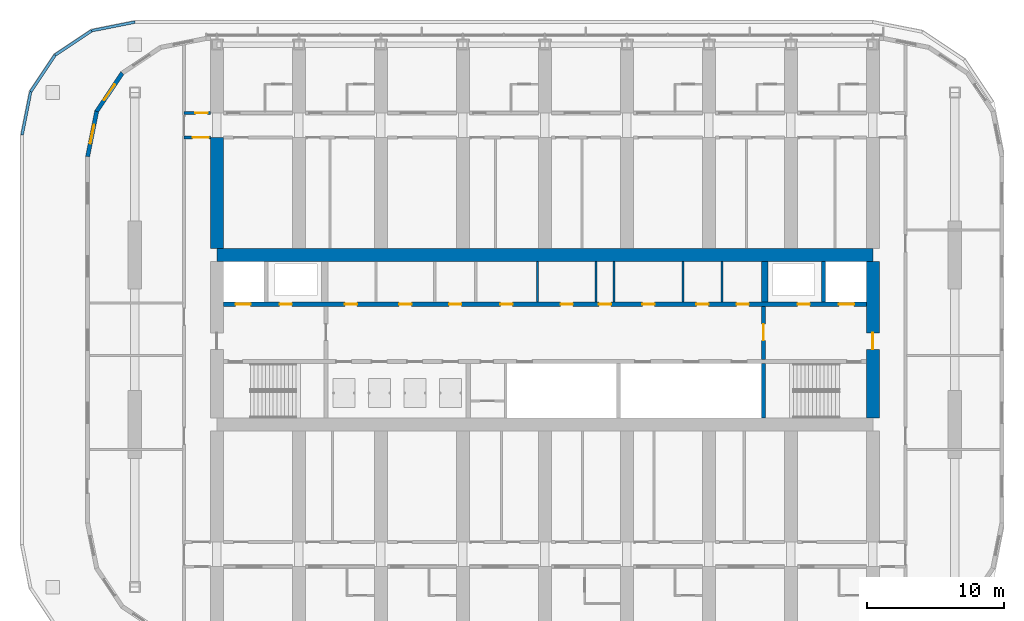
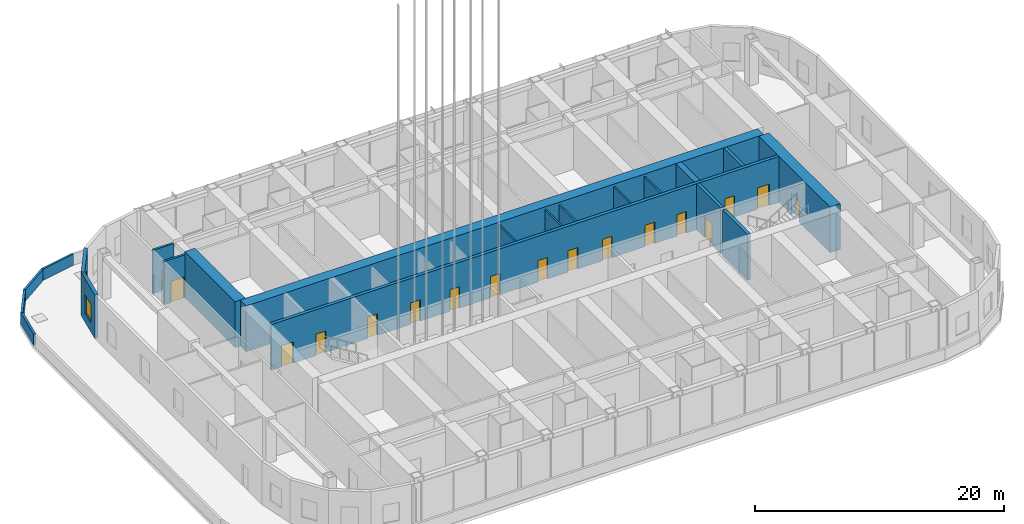
# One storey, part 14 of 32: 21 walls, 17 doors, 2 windows, 19 openings.
"""IFC4 building model written with IfcOpenShell, lengths in metres."""

from ifc_helpers import new_model, si_unit, direction, frame, frame_2d, origin, place, context, subcontext, project, spatial, polyline, rectangle, outline, extrude, material, layer, layer_set, type_object, element, fill, save


model = new_model("IFC4")

# Units and contexts
model_context = context("Model", 3, precision=1e-05, world=origin(), true_north=direction((0.0, 1.0)))
body_context = subcontext(model_context, "Body", "Model", "MODEL_VIEW")
ifc_project = project(units=[si_unit("LENGTHUNIT", "METRE"), si_unit("AREAUNIT", "SQUARE_METRE"), si_unit("VOLUMEUNIT", "CUBIC_METRE"), si_unit("PLANEANGLEUNIT", "RADIAN"), si_unit("MASSUNIT", "GRAM", prefix="KILO")], contexts=[model_context])

# Site, building, storey
site_placement = place(None, origin())
site = spatial("IfcSite", under=ifc_project, at=site_placement, CompositionType="ELEMENT")
building_placement = place(site_placement, origin())
building = spatial("IfcBuilding", under=site, at=building_placement, Name="Orbita Commons", CompositionType="ELEMENT")
storey_placement = place(building_placement, frame((0.0, 0.0, 140.35009765625)))
storey = spatial("IfcBuildingStorey", under=building, at=storey_placement, Name="L34", CompositionType="ELEMENT", Elevation=140.35009765625)

# Wall, openings, doors
ifc_material_1 = material(Name="Concrete C50/60", Category="concrete")
ifc_layer_1 = layer(ifc_material_1, 0.300048828125)
ifc_layer_set_1 = layer_set([ifc_layer_1], Name="Concrete C50/60")
wall_type_1 = type_object("IfcWallType", Name="Core inner wall 300 C50/60", PredefinedType="SHEAR", material=ifc_layer_set_1)
wall_1_placement = place(storey_placement, frame((18.47509765625, 34.60009765625, 0.0), z_axis=(0.0, 0.0, 1.0), x_axis=(1.0, 0.0, 0.0)))
wall_1 = element("IfcWall", 1, at=wall_1_placement, inside=storey, type_object=wall_type_1, Name="Lobby wall north L34", PredefinedType="SHEAR", context=body_context, shape_type="SweptSolid", body=[
    extrude(rectangle(XDim=47.0498046875, YDim=0.300048828125, at=frame_2d((23.52490234375, 0.0))), origin(), (0.0, 0.0, 1.0), 4.5),
])
opening_1_placement = place(wall_1_placement, frame((0.89990234375, 0.0, 0.0)))
opening_1 = element("IfcOpeningElement", 2, at=opening_1_placement, cuts=wall_1, Name="Opening LD01", PredefinedType="OPENING", context=body_context, shape_type="SweptSolid", body=[
    extrude(rectangle(XDim=1.10009765625, YDim=2.10009765625, at=frame_2d((0.550048828125, 1.050048828125))), frame((0.0, 0.159912109375, 0.0), z_axis=(0.0, -1.0, 0.0), x_axis=(1.0, 0.0, 0.0)), (0.0, 0.0, 1.0), 0.320068359375),
])
opening_2_placement = place(wall_1_placement, frame((45.050048828125, 0.0, 0.0)))
opening_2 = element("IfcOpeningElement", 3, at=opening_2_placement, cuts=wall_1, Name="Opening LD01", PredefinedType="OPENING", context=body_context, shape_type="SweptSolid", body=[
    extrude(rectangle(XDim=1.10009765625, YDim=2.10009765625, at=frame_2d((0.550048828125, 1.050048828125))), frame((0.0, 0.159912109375, 0.0), z_axis=(0.0, -1.0, 0.0), x_axis=(1.0, 0.0, 0.0)), (0.0, 0.0, 1.0), 0.320068359375),
])
opening_3_placement = place(wall_1_placement, frame((4.125, 0.0, 0.0)))
opening_3 = element("IfcOpeningElement", 4, at=opening_3_placement, cuts=wall_1, Name="Opening D03", PredefinedType="OPENING", context=body_context, shape_type="SweptSolid", body=[
    extrude(rectangle(XDim=0.89990234375, YDim=2.10009765625, at=frame_2d((0.449951171875, 1.050048828125))), frame((0.0, 0.159912109375, 0.0), z_axis=(0.0, -1.0, 0.0), x_axis=(1.0, 0.0, 0.0)), (0.0, 0.0, 1.0), 0.320068359375),
])
opening_4_placement = place(wall_1_placement, frame((42.02490234375, 0.0, 0.0)))
opening_4 = element("IfcOpeningElement", 5, at=opening_4_placement, cuts=wall_1, Name="Opening D03", PredefinedType="OPENING", context=body_context, shape_type="SweptSolid", body=[
    extrude(rectangle(XDim=0.89990234375, YDim=2.10009765625, at=frame_2d((0.449951171875, 1.050048828125))), frame((0.0, 0.159912109375, 0.0), z_axis=(0.0, -1.0, 0.0), x_axis=(1.0, 0.0, 0.0)), (0.0, 0.0, 1.0), 0.320068359375),
])
opening_5_placement = place(wall_1_placement, frame((8.900390625, 0.0, 0.0)))
opening_5 = element("IfcOpeningElement", 6, at=opening_5_placement, cuts=wall_1, Name="Opening D05", PredefinedType="OPENING", context=body_context, shape_type="SweptSolid", body=[
    extrude(rectangle(XDim=0.89990234375, YDim=2.10009765625, at=frame_2d((0.449951171875, 1.050048828125))), frame((0.0, 0.159912109375, 0.0), z_axis=(0.0, -1.0, 0.0), x_axis=(1.0, 0.0, 0.0)), (0.0, 0.0, 1.0), 0.320068359375),
])
opening_6_placement = place(wall_1_placement, frame((12.873779296875, 0.0, 0.0)))
opening_6 = element("IfcOpeningElement", 7, at=opening_6_placement, cuts=wall_1, Name="Opening D03", PredefinedType="OPENING", context=body_context, shape_type="SweptSolid", body=[
    extrude(rectangle(XDim=0.89990234375, YDim=2.10009765625, at=frame_2d((0.449951171875, 1.050048828125))), frame((0.0, 0.159912109375, 0.0), z_axis=(0.0, -1.0, 0.0), x_axis=(1.0, 0.0, 0.0)), (0.0, 0.0, 1.0), 0.320068359375),
])
opening_7_placement = place(wall_1_placement, frame((16.521240234375, 0.0, 0.0)))
opening_7 = element("IfcOpeningElement", 8, at=opening_7_placement, cuts=wall_1, Name="Opening D03", PredefinedType="OPENING", context=body_context, shape_type="SweptSolid", body=[
    extrude(rectangle(XDim=0.89990234375, YDim=2.10009765625, at=frame_2d((0.449951171875, 1.050048828125))), frame((0.0, 0.159912109375, 0.0), z_axis=(0.0, -1.0, 0.0), x_axis=(1.0, 0.0, 0.0)), (0.0, 0.0, 1.0), 0.320068359375),
])
opening_8_placement = place(wall_1_placement, frame((20.27978515625, 0.0, 0.0)))
opening_8 = element("IfcOpeningElement", 9, at=opening_8_placement, cuts=wall_1, Name="Opening D03", PredefinedType="OPENING", context=body_context, shape_type="SweptSolid", body=[
    extrude(rectangle(XDim=0.89990234375, YDim=2.10009765625, at=frame_2d((0.449951171875, 1.050048828125))), frame((0.0, 0.159912109375, 0.0), z_axis=(0.0, -1.0, 0.0), x_axis=(1.0, 0.0, 0.0)), (0.0, 0.0, 1.0), 0.320068359375),
])
opening_9_placement = place(wall_1_placement, frame((24.685791015625, 0.0, 0.0)))
opening_9 = element("IfcOpeningElement", 10, at=opening_9_placement, cuts=wall_1, Name="Opening D03", PredefinedType="OPENING", context=body_context, shape_type="SweptSolid", body=[
    extrude(rectangle(XDim=0.89990234375, YDim=2.10009765625, at=frame_2d((0.449951171875, 1.050048828125))), frame((0.0, 0.159912109375, 0.0), z_axis=(0.0, -1.0, 0.0), x_axis=(1.0, 0.0, 0.0)), (0.0, 0.0, 1.0), 0.320068359375),
])
opening_10_placement = place(wall_1_placement, frame((27.4833984375, 0.0, 0.0)))
opening_10 = element("IfcOpeningElement", 11, at=opening_10_placement, cuts=wall_1, Name="Opening D03", PredefinedType="OPENING", context=body_context, shape_type="SweptSolid", body=[
    extrude(rectangle(XDim=0.89990234375, YDim=2.10009765625, at=frame_2d((0.449951171875, 1.050048828125))), frame((0.0, 0.159912109375, 0.0), z_axis=(0.0, -1.0, 0.0), x_axis=(1.0, 0.0, 0.0)), (0.0, 0.0, 1.0), 0.320068359375),
])
opening_11_placement = place(wall_1_placement, frame((30.666259765625, 0.0, 0.0)))
opening_11 = element("IfcOpeningElement", 12, at=opening_11_placement, cuts=wall_1, Name="Opening D05", PredefinedType="OPENING", context=body_context, shape_type="SweptSolid", body=[
    extrude(rectangle(XDim=0.89990234375, YDim=2.10009765625, at=frame_2d((0.449951171875, 1.050048828125))), frame((0.0, 0.159912109375, 0.0), z_axis=(0.0, -1.0, 0.0), x_axis=(1.0, 0.0, 0.0)), (0.0, 0.0, 1.0), 0.320068359375),
])
opening_12_placement = place(wall_1_placement, frame((34.6171875, 0.0, 0.0)))
opening_12 = element("IfcOpeningElement", 13, at=opening_12_placement, cuts=wall_1, Name="Opening D03", PredefinedType="OPENING", context=body_context, shape_type="SweptSolid", body=[
    extrude(rectangle(XDim=0.89990234375, YDim=2.10009765625, at=frame_2d((0.449951171875, 1.050048828125))), frame((0.0, 0.159912109375, 0.0), z_axis=(0.0, -1.0, 0.0), x_axis=(1.0, 0.0, 0.0)), (0.0, 0.0, 1.0), 0.320068359375),
])
opening_13_placement = place(wall_1_placement, frame((37.555419921875, 0.0, 0.0)))
opening_13 = element("IfcOpeningElement", 14, at=opening_13_placement, cuts=wall_1, Name="Opening D03", PredefinedType="OPENING", context=body_context, shape_type="SweptSolid", body=[
    extrude(rectangle(XDim=0.89990234375, YDim=2.10009765625, at=frame_2d((0.449951171875, 1.050048828125))), frame((0.0, 0.159912109375, 0.0), z_axis=(0.0, -1.0, 0.0), x_axis=(1.0, 0.0, 0.0)), (0.0, 0.0, 1.0), 0.320068359375),
])
ifc_material_2 = material(Name="Steel-faced fire door leaf", Category="steel")
door_type_1 = type_object("IfcDoorType", Name="Firefighting lift landing door 1100x2100", OperationType="DOUBLE_DOOR_SLIDING", PredefinedType="DOOR", material=ifc_material_2)
door_1_placement = place(opening_1_placement, origin())
door_1 = element("IfcDoor", 15, at=door_1_placement, inside=storey, type_object=door_type_1, Name="Firefighting lift FL1 landing door", OperationType="DOUBLE_DOOR_SLIDING", OverallHeight=2.10009765625, OverallWidth=1.10009765625, PredefinedType="DOOR", context=body_context, shape_type="SweptSolid", body=[
    extrude(rectangle(XDim=1.10009765625, YDim=2.10009765625, at=frame_2d((0.550048828125, 1.050048828125))), frame((0.0, 0.02490234375, 0.0), z_axis=(0.0, -1.0, 0.0), x_axis=(1.0, 0.0, 0.0)), (0.0, 0.0, 1.0), 0.050048828125),
])
fill(opening_1, door_1)
door_2_placement = place(opening_2_placement, origin())
door_2 = element("IfcDoor", 16, at=door_2_placement, inside=storey, type_object=door_type_1, Name="Firefighting lift FL2 landing door", OperationType="DOUBLE_DOOR_SLIDING", OverallHeight=2.10009765625, OverallWidth=1.10009765625, PredefinedType="DOOR", context=body_context, shape_type="SweptSolid", body=[
    extrude(rectangle(XDim=1.10009765625, YDim=2.10009765625, at=frame_2d((0.550048828125, 1.050048828125))), frame((0.0, 0.02490234375, 0.0), z_axis=(0.0, -1.0, 0.0), x_axis=(1.0, 0.0, 0.0)), (0.0, 0.0, 1.0), 0.050048828125),
])
fill(opening_2, door_2)
ifc_material_3 = material(Name="Steel-faced fire door leaf", Category="steel")
door_type_2 = type_object("IfcDoorType", Name="Service door 20 min 900x2100", OperationType="SINGLE_SWING_LEFT", PredefinedType="DOOR", material=ifc_material_3)
door_3_placement = place(opening_5_placement, origin())
door_3 = element("IfcDoor", 17, at=door_3_placement, inside=storey, type_object=door_type_2, Name="Accessible WC door", OperationType="SINGLE_SWING_LEFT", OverallHeight=2.10009765625, OverallWidth=0.89990234375, PredefinedType="DOOR", context=body_context, shape_type="SweptSolid", body=[
    extrude(rectangle(XDim=0.89990234375, YDim=2.10009765625, at=frame_2d((0.449951171875, 1.050048828125))), frame((0.0, 0.02490234375, 0.0), z_axis=(0.0, -1.0, 0.0), x_axis=(1.0, 0.0, 0.0)), (0.0, 0.0, 1.0), 0.050048828125),
])
fill(opening_5, door_3)
door_4_placement = place(opening_11_placement, origin())
door_4 = element("IfcDoor", 18, at=door_4_placement, inside=storey, type_object=door_type_2, Name="Guest pantry door", OperationType="SINGLE_SWING_LEFT", OverallHeight=2.10009765625, OverallWidth=0.89990234375, PredefinedType="DOOR", context=body_context, shape_type="SweptSolid", body=[
    extrude(rectangle(XDim=0.89990234375, YDim=2.10009765625, at=frame_2d((0.449951171875, 1.050048828125))), frame((0.0, 0.02490234375, 0.0), z_axis=(0.0, -1.0, 0.0), x_axis=(1.0, 0.0, 0.0)), (0.0, 0.0, 1.0), 0.050048828125),
])
fill(opening_11, door_4)
ifc_material_4 = material(Name="Steel-faced fire door leaf", Category="steel")
door_type_3 = type_object("IfcDoorType", Name="Shaft access door 90 min 900x2100", OperationType="SINGLE_SWING_LEFT", PredefinedType="DOOR", material=ifc_material_4)
door_5_placement = place(opening_3_placement, origin())
door_5 = element("IfcDoor", 19, at=door_5_placement, inside=storey, type_object=door_type_3, Name="Riser door west", OperationType="SINGLE_SWING_LEFT", OverallHeight=2.10009765625, OverallWidth=0.89990234375, PredefinedType="DOOR", context=body_context, shape_type="SweptSolid", body=[
    extrude(rectangle(XDim=0.89990234375, YDim=2.10009765625, at=frame_2d((0.449951171875, 1.050048828125))), frame((0.0, 0.02490234375, 0.0), z_axis=(0.0, -1.0, 0.0), x_axis=(1.0, 0.0, 0.0)), (0.0, 0.0, 1.0), 0.050048828125),
])
fill(opening_3, door_5)
door_6_placement = place(opening_4_placement, origin())
door_6 = element("IfcDoor", 20, at=door_6_placement, inside=storey, type_object=door_type_3, Name="Riser door east", OperationType="SINGLE_SWING_LEFT", OverallHeight=2.10009765625, OverallWidth=0.89990234375, PredefinedType="DOOR", context=body_context, shape_type="SweptSolid", body=[
    extrude(rectangle(XDim=0.89990234375, YDim=2.10009765625, at=frame_2d((0.449951171875, 1.050048828125))), frame((0.0, 0.02490234375, 0.0), z_axis=(0.0, -1.0, 0.0), x_axis=(1.0, 0.0, 0.0)), (0.0, 0.0, 1.0), 0.050048828125),
])
fill(opening_4, door_6)
door_7_placement = place(opening_6_placement, origin())
door_7 = element("IfcDoor", 21, at=door_7_placement, inside=storey, type_object=door_type_3, Name="Refuse chute room door", OperationType="SINGLE_SWING_LEFT", OverallHeight=2.10009765625, OverallWidth=0.89990234375, PredefinedType="DOOR", context=body_context, shape_type="SweptSolid", body=[
    extrude(rectangle(XDim=0.89990234375, YDim=2.10009765625, at=frame_2d((0.449951171875, 1.050048828125))), frame((0.0, 0.02490234375, 0.0), z_axis=(0.0, -1.0, 0.0), x_axis=(1.0, 0.0, 0.0)), (0.0, 0.0, 1.0), 0.050048828125),
])
fill(opening_6, door_7)
door_8_placement = place(opening_7_placement, origin())
door_8 = element("IfcDoor", 22, at=door_8_placement, inside=storey, type_object=door_type_3, Name="Electrical riser room door", OperationType="SINGLE_SWING_LEFT", OverallHeight=2.10009765625, OverallWidth=0.89990234375, PredefinedType="DOOR", context=body_context, shape_type="SweptSolid", body=[
    extrude(rectangle(XDim=0.89990234375, YDim=2.10009765625, at=frame_2d((0.449951171875, 1.050048828125))), frame((0.0, 0.02490234375, 0.0), z_axis=(0.0, -1.0, 0.0), x_axis=(1.0, 0.0, 0.0)), (0.0, 0.0, 1.0), 0.050048828125),
])
fill(opening_7, door_8)
door_9_placement = place(opening_8_placement, origin())
door_9 = element("IfcDoor", 23, at=door_9_placement, inside=storey, type_object=door_type_3, Name="IT room door", OperationType="SINGLE_SWING_LEFT", OverallHeight=2.10009765625, OverallWidth=0.89990234375, PredefinedType="DOOR", context=body_context, shape_type="SweptSolid", body=[
    extrude(rectangle(XDim=0.89990234375, YDim=2.10009765625, at=frame_2d((0.449951171875, 1.050048828125))), frame((0.0, 0.02490234375, 0.0), z_axis=(0.0, -1.0, 0.0), x_axis=(1.0, 0.0, 0.0)), (0.0, 0.0, 1.0), 0.050048828125),
])
fill(opening_8, door_9)
door_10_placement = place(opening_9_placement, origin())
door_10 = element("IfcDoor", 24, at=door_10_placement, inside=storey, type_object=door_type_3, Name="Communications room door", OperationType="SINGLE_SWING_LEFT", OverallHeight=2.10009765625, OverallWidth=0.89990234375, PredefinedType="DOOR", context=body_context, shape_type="SweptSolid", body=[
    extrude(rectangle(XDim=0.89990234375, YDim=2.10009765625, at=frame_2d((0.449951171875, 1.050048828125))), frame((0.0, 0.02490234375, 0.0), z_axis=(0.0, -1.0, 0.0), x_axis=(1.0, 0.0, 0.0)), (0.0, 0.0, 1.0), 0.050048828125),
])
fill(opening_9, door_10)
door_11_placement = place(opening_10_placement, origin())
door_11 = element("IfcDoor", 25, at=door_11_placement, inside=storey, type_object=door_type_3, Name="Stair pressurisation duct door", OperationType="SINGLE_SWING_LEFT", OverallHeight=2.10009765625, OverallWidth=0.89990234375, PredefinedType="DOOR", context=body_context, shape_type="SweptSolid", body=[
    extrude(rectangle(XDim=0.89990234375, YDim=2.10009765625, at=frame_2d((0.449951171875, 1.050048828125))), frame((0.0, 0.02490234375, 0.0), z_axis=(0.0, -1.0, 0.0), x_axis=(1.0, 0.0, 0.0)), (0.0, 0.0, 1.0), 0.050048828125),
])
fill(opening_10, door_11)
door_12_placement = place(opening_12_placement, origin())
door_12 = element("IfcDoor", 26, at=door_12_placement, inside=storey, type_object=door_type_3, Name="Linen store door", OperationType="SINGLE_SWING_LEFT", OverallHeight=2.10009765625, OverallWidth=0.89990234375, PredefinedType="DOOR", context=body_context, shape_type="SweptSolid", body=[
    extrude(rectangle(XDim=0.89990234375, YDim=2.10009765625, at=frame_2d((0.449951171875, 1.050048828125))), frame((0.0, 0.02490234375, 0.0), z_axis=(0.0, -1.0, 0.0), x_axis=(1.0, 0.0, 0.0)), (0.0, 0.0, 1.0), 0.050048828125),
])
fill(opening_12, door_12)
door_13_placement = place(opening_13_placement, origin())
door_13 = element("IfcDoor", 27, at=door_13_placement, inside=storey, type_object=door_type_3, Name="Cleaners store door", OperationType="SINGLE_SWING_LEFT", OverallHeight=2.10009765625, OverallWidth=0.89990234375, PredefinedType="DOOR", context=body_context, shape_type="SweptSolid", body=[
    extrude(rectangle(XDim=0.89990234375, YDim=2.10009765625, at=frame_2d((0.449951171875, 1.050048828125))), frame((0.0, 0.02490234375, 0.0), z_axis=(0.0, -1.0, 0.0), x_axis=(1.0, 0.0, 0.0)), (0.0, 0.0, 1.0), 0.050048828125),
])
fill(opening_13, door_13)

# Wall
wall_2_placement = place(storey_placement, frame((58.0, 26.27490234375, 0.0), z_axis=(0.0, 0.0, 1.0), x_axis=(0.0, 1.0, 0.0)))
element("IfcWall", 28, at=wall_2_placement, inside=storey, type_object=wall_type_1, Name="Stair S2 wall L34", PredefinedType="SHEAR", context=body_context, shape_type="SweptSolid", body=[
    extrude(rectangle(XDim=3.97509765625, YDim=0.300048828125, at=frame_2d((1.987548828125, 0.0))), origin(), (0.0, 0.0, 1.0), 4.5),
])

# Wall, opening, door
wall_3_placement = place(storey_placement, frame((58.0, 30.550048828125, 0.0), z_axis=(0.0, 0.0, 1.0), x_axis=(0.0, 1.0, 0.0)))
wall_3 = element("IfcWall", 29, at=wall_3_placement, inside=storey, type_object=wall_type_1, Name="Firefighting lobby wall east L34", PredefinedType="SHEAR", context=body_context, shape_type="SweptSolid", body=[
    extrude(rectangle(XDim=3.89990234375, YDim=0.300048828125, at=frame_2d((1.949951171875, 0.0))), origin(), (0.0, 0.0, 1.0), 4.5),
])
opening_14_placement = place(wall_3_placement, frame((1.39990234375, 0.0, 0.0)))
opening_14 = element("IfcOpeningElement", 30, at=opening_14_placement, cuts=wall_3, Name="Opening D04", PredefinedType="OPENING", context=body_context, shape_type="SweptSolid", body=[
    extrude(rectangle(XDim=1.199951171875, YDim=2.10009765625, at=frame_2d((0.60009765625, 1.050048828125))), frame((0.0, 0.159912109375, 0.0), z_axis=(0.0, -1.0, 0.0), x_axis=(1.0, 0.0, 0.0)), (0.0, 0.0, 1.0), 0.320068359375),
])
ifc_material_5 = material(Name="Steel-faced fire door leaf", Category="steel")
door_type_4 = type_object("IfcDoorType", Name="Service door 20 min 1200x2100", OperationType="SINGLE_SWING_LEFT", PredefinedType="DOOR", material=ifc_material_5)
door_14_placement = place(opening_14_placement, origin())
door_14 = element("IfcDoor", 31, at=door_14_placement, inside=storey, type_object=door_type_4, Name="Lift lobby door east", OperationType="SINGLE_SWING_LEFT", OverallHeight=2.10009765625, OverallWidth=1.199951171875, PredefinedType="DOOR", context=body_context, shape_type="SweptSolid", body=[
    extrude(rectangle(XDim=1.199951171875, YDim=2.10009765625, at=frame_2d((0.60009765625, 1.050048828125))), frame((0.0, 0.02490234375, 0.0), z_axis=(0.0, -1.0, 0.0), x_axis=(1.0, 0.0, 0.0)), (0.0, 0.0, 1.0), 0.050048828125),
])
fill(opening_14, door_14)

# Walls
wall_4_placement = place(storey_placement, frame((62.39990234375, 34.75, 0.0), z_axis=(0.0, 0.0, 1.0), x_axis=(0.0, 1.0, 0.0)))
element("IfcWall", 32, at=wall_4_placement, inside=storey, type_object=wall_type_1, Name="Firefighting lift FL2 shaft wall L34", PredefinedType="SHEAR", context=body_context, shape_type="SweptSolid", body=[
    extrude(rectangle(XDim=2.97509765625, YDim=0.300048828125, at=frame_2d((1.487548828125, 0.0))), origin(), (0.0, 0.0, 1.0), 4.5),
])
ifc_material_6 = material(Name="Concrete C50/60", Category="concrete")
ifc_layer_2 = layer(ifc_material_6, 0.5)
ifc_layer_set_2 = layer_set([ifc_layer_2], Name="Concrete C50/60")
wall_type_2 = type_object("IfcWallType", Name="Core inner wall 500 C50/60", PredefinedType="SHEAR", material=ifc_layer_set_2)
wall_5_placement = place(storey_placement, frame((58.10009765625, 34.75, 0.0), z_axis=(0.0, 0.0, 1.0), x_axis=(0.0, 1.0, 0.0)))
element("IfcWall", 33, at=wall_5_placement, inside=storey, type_object=wall_type_2, Name="Riser wall east L34", PredefinedType="SHEAR", context=body_context, shape_type="SweptSolid", body=[
    extrude(rectangle(XDim=2.97509765625, YDim=0.5, at=frame_2d((1.487548828125, 0.0))), origin(), (0.0, 0.0, 1.0), 4.5),
])
ifc_material_7 = material(Name="Concrete blockwork", Category="masonry")
ifc_layer_3 = layer(ifc_material_7, 0.14990234375)
ifc_layer_set_3 = layer_set([ifc_layer_3], Name="Concrete blockwork")
wall_type_3 = type_object("IfcWallType", Name="Core partition 150 blockwork", PredefinedType="SOLIDWALL", material=ifc_layer_set_3)
for number, where, z_axis, x_axis, name in (
    (34, (41.463134765625, 34.75, 0.0), (0.0, 0.0, 1.0), (0.0, 1.0, 0.0), "Core partition 150 blockwork L34"),
    (35, (45.75830078125, 34.75, 0.0), (0.0, 0.0, 1.0), (0.0, 1.0, 0.0), "Core partition 150 blockwork L34"),
    (36, (47.058349609375, 34.75, 0.0), (0.0, 0.0, 1.0), (0.0, 1.0, 0.0), "Core partition 150 blockwork L34"),
    (37, (52.123779296875, 34.75, 0.0), (0.0, 0.0, 1.0), (0.0, 1.0, 0.0), "Core partition 150 blockwork L34"),
    (38, (54.960693359375, 34.75, 0.0), (0.0, 0.0, 1.0), (0.0, 1.0, 0.0), "Core partition 150 blockwork L34"),
):
    element("IfcWall", number, at=place(storey_placement, frame(where, z_axis=z_axis, x_axis=x_axis)), inside=storey, type_object=wall_type_3, Name=name, PredefinedType="SOLIDWALL", context=body_context, shape_type="SweptSolid", body=[
        extrude(rectangle(XDim=2.97509765625, YDim=0.14990234375, at=frame_2d((1.487548828125, 0.0))), origin(), (0.0, 0.0, 1.0), 4.25),
    ])
ifc_material_8 = material(Name="Concrete C50/60", Category="concrete")
ifc_layer_4 = layer(ifc_material_8, 0.949951171875)
ifc_layer_set_4 = layer_set([ifc_layer_4], Name="Concrete C50/60")
wall_type_4 = type_object("IfcWallType", Name="Core wall 950 C50/60", PredefinedType="SHEAR", material=ifc_layer_set_4)
wall_6_placement = place(storey_placement, frame((18.0, 38.199951171875, 0.0), z_axis=(0.0, 0.0, 1.0), x_axis=(1.0, 0.0, 0.0)))
element("IfcWall", 39, at=wall_6_placement, inside=storey, type_object=wall_type_4, Name="Core spine wall north L34", PredefinedType="SHEAR", context=body_context, shape_type="SweptSolid", body=[
    extrude(rectangle(XDim=48.0, YDim=0.949951171875, at=frame_2d((24.0, 0.0))), origin(), (0.0, 0.0, 1.0), 4.5),
])

# Wall, opening, door
wall_7_placement = place(storey_placement, frame((66.0, 26.27490234375, 0.0), z_axis=(0.0, 0.0, 1.0), x_axis=(0.0, 1.0, 0.0)))
wall_7 = element("IfcWall", 40, at=wall_7_placement, inside=storey, type_object=wall_type_4, Name="Core end wall east L34", PredefinedType="SHEAR", context=body_context, shape_type="SweptSolid", body=[
    extrude(rectangle(XDim=11.4501953125, YDim=0.949951171875, at=frame_2d((5.72509765625, 0.0))), origin(), (0.0, 0.0, 1.0), 4.5),
])
opening_15_placement = place(wall_7_placement, frame((5.02490234375, 0.0, 0.0)))
opening_15 = element("IfcOpeningElement", 41, at=opening_15_placement, cuts=wall_7, Name="Opening D01", PredefinedType="OPENING", context=body_context, shape_type="SweptSolid", body=[
    extrude(rectangle(XDim=1.199951171875, YDim=2.10009765625, at=frame_2d((0.60009765625, 1.050048828125))), frame((0.0, 0.48486328125, 0.0), z_axis=(0.0, -1.0, 0.0), x_axis=(1.0, 0.0, 0.0)), (0.0, 0.0, 1.0), 0.969970703125),
])
ifc_material_9 = material(Name="Steel-faced fire door leaf", Category="steel")
door_type_5 = type_object("IfcDoorType", Name="Fire door 90 min 1200x2100", OperationType="SINGLE_SWING_LEFT", PredefinedType="DOOR", material=ifc_material_9)
door_15_placement = place(opening_15_placement, origin())
door_15 = element("IfcDoor", 42, at=door_15_placement, inside=storey, type_object=door_type_5, Name="Firefighting lobby east door", OperationType="SINGLE_SWING_LEFT", OverallHeight=2.10009765625, OverallWidth=1.199951171875, PredefinedType="DOOR", context=body_context, shape_type="SweptSolid", body=[
    extrude(rectangle(XDim=1.199951171875, YDim=2.10009765625, at=frame_2d((0.60009765625, 1.050048828125))), frame((0.0, 0.02490234375, 0.0), z_axis=(0.0, -1.0, 0.0), x_axis=(1.0, 0.0, 0.0)), (0.0, 0.0, 1.0), 0.050048828125),
])
fill(opening_15, door_15)

ifc_material_10 = material(Name="Concrete blockwork", Category="masonry")
ifc_layer_5 = layer(ifc_material_10, 0.199951171875)
ifc_layer_set_5 = layer_set([ifc_layer_5], Name="Concrete blockwork")
wall_type_5 = type_object("IfcWallType", Name="Corridor wall 200 blockwork", PredefinedType="SOLIDWALL", material=ifc_layer_set_5)
wall_8_placement = place(storey_placement, frame((15.60009765625, 48.60009765625, 0.0), z_axis=(0.0, 0.0, 1.0), x_axis=(1.0, 0.0, 0.0)))
wall_8 = element("IfcWall", 43, at=wall_8_placement, inside=storey, type_object=wall_type_5, Name="Corridor wall 200 blockwork L34", PredefinedType="SOLIDWALL", context=body_context, shape_type="SweptSolid", body=[
    extrude(rectangle(XDim=1.9248046875, YDim=0.199951171875, at=frame_2d((0.96240234375, 0.0))), origin(), (0.0, 0.0, 1.0), 4.25),
])
opening_16_placement = place(wall_8_placement, frame((0.824951171875, 0.0, 0.0)))
opening_16 = element("IfcOpeningElement", 44, at=opening_16_placement, cuts=wall_8, Name="Opening D05", PredefinedType="OPENING", context=body_context, shape_type="SweptSolid", body=[
    extrude(rectangle(XDim=0.89990234375, YDim=2.10009765625, at=frame_2d((0.449951171875, 1.050048828125))), frame((0.0, 0.10986328125, 0.0), z_axis=(0.0, -1.0, 0.0), x_axis=(1.0, 0.0, 0.0)), (0.0, 0.0, 1.0), 0.219970703125),
])
door_16_placement = place(opening_16_placement, origin())
door_16 = element("IfcDoor", 45, at=door_16_placement, inside=storey, type_object=door_type_2, Name="Linen store L34-KWN door", OperationType="SINGLE_SWING_LEFT", OverallHeight=2.10009765625, OverallWidth=0.89990234375, PredefinedType="DOOR", context=body_context, shape_type="SweptSolid", body=[
    extrude(rectangle(XDim=0.89990234375, YDim=2.10009765625, at=frame_2d((0.449951171875, 1.050048828125))), frame((0.0, 0.02490234375, 0.0), z_axis=(0.0, -1.0, 0.0), x_axis=(1.0, 0.0, 0.0)), (0.0, 0.0, 1.0), 0.050048828125),
])
fill(opening_16, door_16)

ifc_material_11 = material(Name="Hollow concrete block 200", Category="concrete")
ifc_layer_6 = layer(ifc_material_11, 0.199951171875)
ifc_layer_set_6 = layer_set([ifc_layer_6], Name="Hollow concrete block 200")
wall_type_6 = type_object("IfcWallType", Name="Corridor wall 200 hollow concrete block", PredefinedType="SOLIDWALL", material=ifc_layer_set_6)
wall_9_placement = place(storey_placement, frame((15.60009765625, 46.800048828125, 0.0), z_axis=(0.0, 0.0, 1.0), x_axis=(1.0, 0.0, 0.0)))
wall_9 = element("IfcWall", 46, at=wall_9_placement, inside=storey, type_object=wall_type_6, Name="Corridor wall 200 hollow concrete block L34", PredefinedType="SOLIDWALL", context=body_context, shape_type="SweptSolid", body=[
    extrude(rectangle(XDim=1.9248046875, YDim=0.199951171875, at=frame_2d((0.96240234375, 0.0))), origin(), (0.0, 0.0, 1.0), 4.25),
])
opening_17_placement = place(wall_9_placement, frame((0.625, 0.0, 0.0)))
opening_17 = element("IfcOpeningElement", 47, at=opening_17_placement, cuts=wall_9, Name="Opening D12", PredefinedType="OPENING", context=body_context, shape_type="SweptSolid", body=[
    extrude(rectangle(XDim=1.199951171875, YDim=2.10009765625, at=frame_2d((0.60009765625, 1.050048828125))), frame((0.0, 0.10986328125, 0.0), z_axis=(0.0, -1.0, 0.0), x_axis=(1.0, 0.0, 0.0)), (0.0, 0.0, 1.0), 0.219970703125),
])
ifc_material_12 = material(Name="Steel-faced fire door leaf", Category="steel")
door_type_6 = type_object("IfcDoorType", Name="Double corridor door 20 min 1200x2100", OperationType="DOUBLE_DOOR_SINGLE_SWING", PredefinedType="DOOR", material=ifc_material_12)
door_17_placement = place(opening_17_placement, origin())
door_17 = element("IfcDoor", 48, at=door_17_placement, inside=storey, type_object=door_type_6, Name="Cross corridor doors", OperationType="DOUBLE_DOOR_SINGLE_SWING", OverallHeight=2.10009765625, OverallWidth=1.199951171875, PredefinedType="DOOR", context=body_context, shape_type="SweptSolid", body=[
    extrude(rectangle(XDim=1.199951171875, YDim=2.10009765625, at=frame_2d((0.60009765625, 1.050048828125))), frame((0.0, 0.02490234375, 0.0), z_axis=(0.0, -1.0, 0.0), x_axis=(1.0, 0.0, 0.0)), (0.0, 0.0, 1.0), 0.050048828125),
])
fill(opening_17, door_17)

# Wall
ifc_material_13 = material(Name="Concrete C50/60", Category="concrete")
ifc_layer_7 = layer(ifc_material_13, 0.949951171875)
ifc_layer_set_7 = layer_set([ifc_layer_7], Name="Concrete C50/60")
wall_type_7 = type_object("IfcWallType", Name="Cross wall 950 C50/60", PredefinedType="SHEAR", material=ifc_layer_set_7)
wall_10_placement = place(storey_placement, frame((18.0, 38.675048828125, 0.0), z_axis=(0.0, 0.0, 1.0), x_axis=(0.0, 1.0, 0.0)))
element("IfcWall", 49, at=wall_10_placement, inside=storey, type_object=wall_type_7, Name="Cross wall 4 north inner L34", PredefinedType="SHEAR", context=body_context, shape_type="SweptSolid", body=[
    extrude(rectangle(XDim=8.125, YDim=0.949951171875, at=frame_2d((4.0625, 0.0))), origin(), (0.0, 0.0, 1.0), 4.5),
])

# Wall, opening, window
ifc_material_14 = material(Name="Precast concrete C40/50, white board-marked finish", Category="concrete")
ifc_layer_8 = layer(ifc_material_14, 0.300048828125)
ifc_layer_set_8 = layer_set([ifc_layer_8], Name="Precast concrete C40/50, white board-marked finish")
wall_type_8 = type_object("IfcWallType", Name="Precast concrete end shield 300", PredefinedType="SOLIDWALL", material=ifc_layer_set_8)
wall_11_placement = place(storey_placement, frame((11.08349609375, 51.5166015625, 0.0), z_axis=(0.0, 0.0, 1.0), x_axis=(-0.555534554399, -0.831493450887, 0.0)))
wall_11 = element("IfcWall", 50, at=wall_11_placement, inside=storey, type_object=wall_type_8, Name="End shield NW chord 3 L34", PredefinedType="SOLIDWALL", context=body_context, shape_type="SweptSolid", body=[
    extrude(outline(polyline([(-0.02978515625, -0.14990234375), (3.405029296875, -0.14990234375), (3.345458984375, 0.14990234375), (0.02978515625, 0.14990234375), (-0.02978515625, -0.14990234375)])), origin(), (0.0, 0.0, 1.0), 4.25),
])
opening_18_placement = place(wall_11_placement, frame((0.987548828125, 0.0, 0.89990234375)))
opening_18 = element("IfcOpeningElement", 51, at=opening_18_placement, cuts=wall_11, Name="Opening W02", PredefinedType="OPENING", context=body_context, shape_type="SweptSolid", body=[
    extrude(rectangle(XDim=1.39990234375, YDim=1.800048828125, at=frame_2d((0.699951171875, 0.89990234375))), frame((0.0, 0.159912109375, 0.0), z_axis=(0.0, -1.0, 0.0), x_axis=(1.0, 0.0, 0.0)), (0.0, 0.0, 1.0), 0.320068359375),
])
ifc_material_15 = material(Name="Aluminium frame, clear double glazing", Category="aluminium")
window_type = type_object("IfcWindowType", Name="Deep-set window 1400x1800", PartitioningType="SINGLE_PANEL", PredefinedType="WINDOW", material=ifc_material_15)
window_1_placement = place(opening_18_placement, origin())
window_1 = element("IfcWindow", 52, at=window_1_placement, inside=storey, type_object=window_type, Name="Window L34-NW2", OverallHeight=1.800048828125, OverallWidth=1.39990234375, PartitioningType="SINGLE_PANEL", PredefinedType="WINDOW", context=body_context, shape_type="SweptSolid", body=[
    extrude(rectangle(XDim=1.39990234375, YDim=1.800048828125, at=frame_2d((0.699951171875, 0.89990234375))), frame((0.0, 0.030029296875, 0.0), z_axis=(0.0, -1.0, 0.0), x_axis=(1.0, 0.0, 0.0)), (0.0, 0.0, 1.0), 0.06005859375),
])
fill(opening_18, window_1)

wall_12_placement = place(storey_placement, frame((9.20849609375, 48.710205078125, 0.0), z_axis=(0.0, 0.0, 1.0), x_axis=(-0.19508664885, -0.980786011034, 0.0)))
wall_12 = element("IfcWall", 53, at=wall_12_placement, inside=storey, type_object=wall_type_8, Name="End shield NW chord 4 L34", PredefinedType="SOLIDWALL", context=body_context, shape_type="SweptSolid", body=[
    extrude(outline(polyline([(-0.02978515625, -0.14990234375), (3.39013671875, -0.14990234375), (3.3603515625, 0.14990234375), (0.02978515625, 0.14990234375), (-0.02978515625, -0.14990234375)])), origin(), (0.0, 0.0, 1.0), 4.25),
])
opening_19_placement = place(wall_12_placement, frame((0.987548828125, 0.0, 0.89990234375)))
opening_19 = element("IfcOpeningElement", 54, at=opening_19_placement, cuts=wall_12, Name="Opening W02", PredefinedType="OPENING", context=body_context, shape_type="SweptSolid", body=[
    extrude(rectangle(XDim=1.39990234375, YDim=1.800048828125, at=frame_2d((0.699951171875, 0.89990234375))), frame((0.0, 0.159912109375, 0.0), z_axis=(0.0, -1.0, 0.0), x_axis=(1.0, 0.0, 0.0)), (0.0, 0.0, 1.0), 0.320068359375),
])
window_2_placement = place(opening_19_placement, origin())
window_2 = element("IfcWindow", 55, at=window_2_placement, inside=storey, type_object=window_type, Name="Window L34-NW3", OverallHeight=1.800048828125, OverallWidth=1.39990234375, PartitioningType="SINGLE_PANEL", PredefinedType="WINDOW", context=body_context, shape_type="SweptSolid", body=[
    extrude(rectangle(XDim=1.39990234375, YDim=1.800048828125, at=frame_2d((0.699951171875, 0.89990234375))), frame((0.0, 0.030029296875, 0.0), z_axis=(0.0, -1.0, 0.0), x_axis=(1.0, 0.0, 0.0)), (0.0, 0.0, 1.0), 0.06005859375),
])
fill(opening_19, window_2)

# Walls
ifc_material_16 = material(Name="Precast concrete C40/50, white board-marked finish", Category="concrete")
ifc_layer_9 = layer(ifc_material_16, 0.199951171875)
ifc_layer_set_9 = layer_set([ifc_layer_9], Name="Precast concrete C40/50, white board-marked finish")
wall_type_9 = type_object("IfcWallType", Name="Precast parapet 200", PredefinedType="PARAPET", material=ifc_layer_set_9)
wall_13_placement = place(storey_placement, frame((3.75, 46.985107421875, 0.0), z_axis=(0.0, 0.0, 1.0), x_axis=(0.195055902531, 0.980792126237, 0.0)))
element("IfcWall", 56, at=wall_13_placement, inside=storey, type_object=wall_type_9, Name="Parapet L34 1.10", PredefinedType="PARAPET", context=body_context, shape_type="SweptSolid", body=[
    extrude(rectangle(XDim=3.23291015625, YDim=0.199951171875, at=frame_2d((1.616455078125, 0.0))), origin(), (0.0, 0.0, 1.0), 1.099853515625),
])
for number, where, z_axis, x_axis, name in (
    (57, (4.380615234375, 50.156005859375, 0.0), (0.0, 0.0, 1.0), (0.555592803191, 0.831454530953, 0.0), "Parapet L34 1.11"),
    (58, (6.16845703125, 52.83154296875, 0.0), (0.0, 0.0, 1.0), (0.831454530953, 0.555592803191, 0.0), "Parapet L34 1.12"),
):
    element("IfcWall", number, at=place(storey_placement, frame(where, z_axis=z_axis, x_axis=x_axis)), inside=storey, type_object=wall_type_9, Name=name, PredefinedType="PARAPET", context=body_context, shape_type="SweptSolid", body=[
        extrude(rectangle(XDim=3.218017578125, YDim=0.199951171875, at=frame_2d((1.60888671875, 0.0))), origin(), (0.0, 0.0, 1.0), 1.099853515625),
    ])
wall_14_placement = place(storey_placement, frame((8.843994140625, 54.619384765625, 0.0), z_axis=(0.0, 0.0, 1.0), x_axis=(0.980792126237, 0.195055902531, 0.0)))
element("IfcWall", 59, at=wall_14_placement, inside=storey, type_object=wall_type_9, Name="Parapet L34 1.13", PredefinedType="PARAPET", context=body_context, shape_type="SweptSolid", body=[
    extrude(rectangle(XDim=3.23291015625, YDim=0.199951171875, at=frame_2d((1.616455078125, 0.0))), origin(), (0.0, 0.0, 1.0), 1.099853515625),
])

save(model, "model.ifc")
